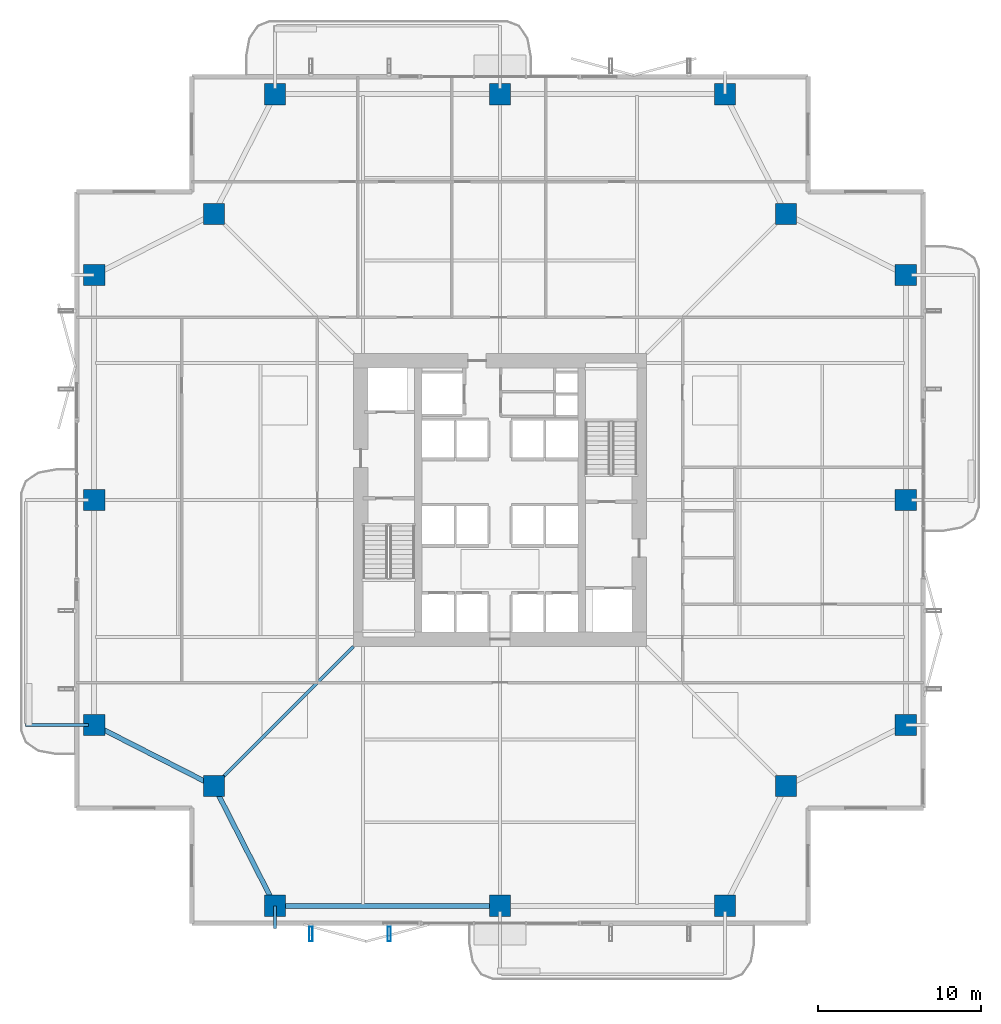
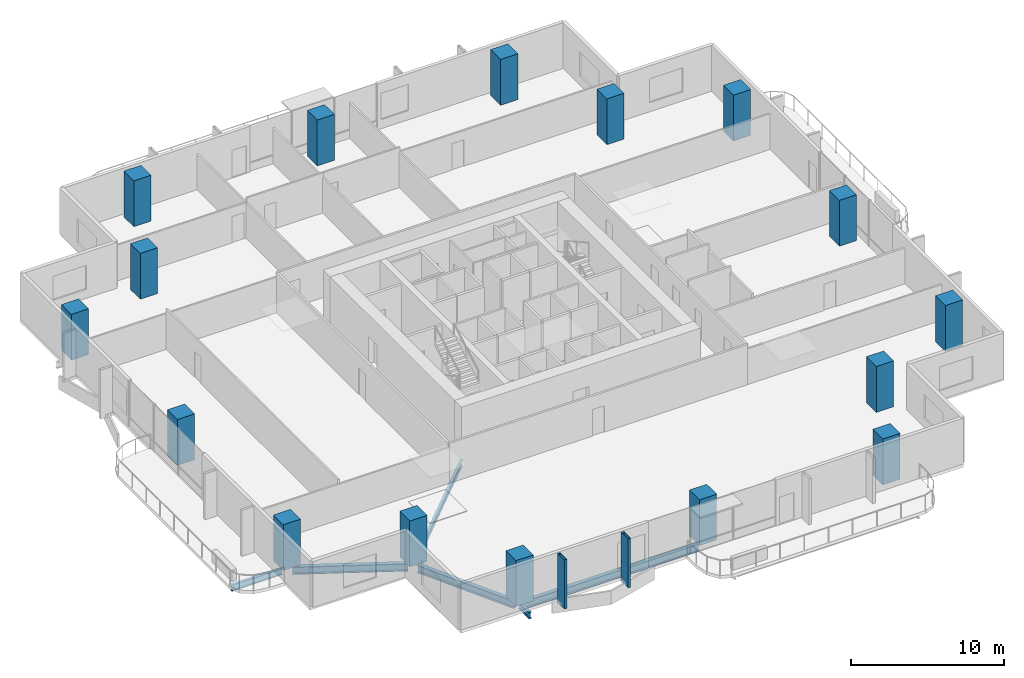
# One storey, part 1 of 24: 16 columns, 6 beams, 2 members.
"""IFC4 building model written with IfcOpenShell, lengths in metres."""

import ifcopenshell
import ifcopenshell.guid

model = None  # the IFC model being written
_history = None  # IfcOwnerHistory: only IFC2X3 demands one
_inside = {}  # id of a spatial element -> (the spatial element, [elements in it])
_under = {}  # id of a project, library or spatial element -> (it, [spatial elements below it])
_declared = {}  # id of a project -> (the project, [libraries it declares])
_typed = {}  # id of a type object -> (the type object, [elements of that type])
_made_of = {}  # id of a material, layer set ... -> (it, [elements and type objects made of it])


def new_model(schema):
    """Start an empty IFC model of exactly this schema.

    Asked for "IFC4X3", IfcOpenShell would pick the latest addendum, in which some entities
    have other attributes; the version numbers below select the first issue.
    IFC2X3 requires an IfcOwnerHistory on every rooted entity: one is made here for all.
    """
    global model, _history
    if schema == "IFC4X3":
        model = ifcopenshell.file(schema_version=(4, 3, 0, 0))
    else:
        model = ifcopenshell.file(schema=schema)
    _inside.clear()
    _under.clear()
    _declared.clear()
    _typed.clear()
    _made_of.clear()
    _history = None
    if model.schema == "IFC2X3":
        org = make("IfcOrganization", Name="unknown")
        user = make(
            "IfcPersonAndOrganization",
            ThePerson=make("IfcPerson", FamilyName="unknown"),
            TheOrganization=org,
        )
        app = make(
            "IfcApplication",
            ApplicationDeveloper=org,
            Version="unknown",
            ApplicationFullName="unknown",
            ApplicationIdentifier="unknown",
        )
        _history = make(
            "IfcOwnerHistory",
            OwningUser=user,
            OwningApplication=app,
            ChangeAction="ADDED",
            CreationDate=0,
        )
    return model


def make(cls, **values):
    """One entity of the class cls with the attributes given. An attribute that is None is left unset."""
    return model.create_entity(
        cls, **{name: value for name, value in values.items() if value is not None}
    )


def rooted(cls, **values):
    """An entity with a GlobalId (a new one), such as an element, a storey or a relation."""
    return make(cls, GlobalId=ifcopenshell.guid.new(), OwnerHistory=_history, **values)


def si_unit(unit_type, name, prefix=None):
    """IfcSIUnit, for example si_unit("LENGTHUNIT", "METRE", prefix="MILLI")."""
    return make("IfcSIUnit", UnitType=unit_type, Prefix=prefix, Name=name)


def assignment(units):
    """IfcUnitAssignment: the units of a project."""
    return None if units is None else make("IfcUnitAssignment", Units=units)


def point(xyz):
    """IfcCartesianPoint."""
    return None if xyz is None else make("IfcCartesianPoint", Coordinates=xyz)


def direction(xyz):
    """IfcDirection."""
    return None if xyz is None else make("IfcDirection", DirectionRatios=xyz)


def frame(location, z_axis=None, x_axis=None):
    """IfcAxis2Placement3D, a coordinate frame: its origin and axes. An axis left out is left unset."""
    return make(
        "IfcAxis2Placement3D",
        Location=point(location),
        Axis=direction(z_axis),
        RefDirection=direction(x_axis),
    )


def frame_2d(location, x_axis=None):
    """IfcAxis2Placement2D, a coordinate frame in the plane: its origin and x axis."""
    return make(
        "IfcAxis2Placement2D", Location=point(location), RefDirection=direction(x_axis)
    )


def origin():
    """The frame at (0, 0, 0) with its axes left unset."""
    return frame((0.0, 0.0, 0.0))


def origin_2d():
    """The frame at (0, 0) in the plane with its x axis left unset."""
    return frame_2d((0.0, 0.0))


def place(relative_to, where):
    """IfcLocalPlacement: puts the frame where relative to a parent placement (None: the world)."""
    return make(
        "IfcLocalPlacement", PlacementRelTo=relative_to, RelativePlacement=where
    )


def context(
    kind, dimensions, precision=None, world=None, true_north=None, identifier=None
):
    """IfcGeometricRepresentationContext, for example the 3D "Model" context."""
    return make(
        "IfcGeometricRepresentationContext",
        ContextIdentifier=identifier,
        ContextType=kind,
        CoordinateSpaceDimension=dimensions,
        Precision=precision,
        WorldCoordinateSystem=world,
        TrueNorth=true_north,
    )


def subcontext(parent, identifier, kind, view, scale=None):
    """IfcGeometricRepresentationSubContext, for example "Body" below "Model"."""
    return make(
        "IfcGeometricRepresentationSubContext",
        ContextIdentifier=identifier,
        ContextType=kind,
        ParentContext=parent,
        TargetScale=scale,
        TargetView=view,
    )


def project(units=None, contexts=None):
    """IfcProject with its units and contexts."""
    return rooted(
        "IfcProject",
        Name="project",
        RepresentationContexts=contexts,
        UnitsInContext=assignment(units),
    )


def spatial(cls, under=None, at=None, **own):
    """A site, building, storey or space (cls), placed at a placement, below another one or the project."""
    s = rooted(cls, ObjectPlacement=at, **own)
    if under is not None:
        _under.setdefault(under.id(), (under, []))[1].append(s)
    return s


def profile(cls, at=None, kind="AREA", **sizes):
    """A parametric profile (cls). Its sizes go by their IFC names, for example OverallWidth=200.0."""
    return make(cls, ProfileType=kind, Position=at, **sizes)


def rectangle(**sizes):
    """IfcRectangleProfileDef."""
    return profile("IfcRectangleProfileDef", **sizes)


def hollow_rectangle(**sizes):
    """IfcRectangleHollowProfileDef."""
    return profile("IfcRectangleHollowProfileDef", **sizes)


def i_section(**sizes):
    """IfcIShapeProfileDef."""
    return profile("IfcIShapeProfileDef", **sizes)


def extrude(swept, where, along, depth):
    """IfcExtrudedAreaSolid: the profile swept, set in the frame where, extruded along a direction by depth."""
    return make(
        "IfcExtrudedAreaSolid",
        SweptArea=swept,
        Position=where,
        ExtrudedDirection=direction(along),
        Depth=depth,
    )


def shape(context_of_items, identifier, shape_type, items):
    """IfcShapeRepresentation: the items that make up one representation, for example the "Body"."""
    return make(
        "IfcShapeRepresentation",
        ContextOfItems=context_of_items,
        RepresentationIdentifier=identifier,
        RepresentationType=shape_type,
        Items=items,
    )


def material(Name=None, Category=None):
    """IfcMaterial."""
    return make("IfcMaterial", Name=Name, Category=Category)


def material_profile(
    of_material, cross_section, Name=None, Category=None, Priority=None
):
    """IfcMaterialProfile: a cross section and its material."""
    return make(
        "IfcMaterialProfile",
        Name=Name,
        Material=of_material,
        Profile=cross_section,
        Priority=Priority,
        Category=Category,
    )


def profile_set(profiles, Name=None, composite=None):
    """IfcMaterialProfileSet."""
    return make(
        "IfcMaterialProfileSet",
        Name=Name,
        MaterialProfiles=profiles,
        CompositeProfile=composite,
    )


def made_of(thing, what):
    """Note that an element or type object is made of a material, layer set ...; save() writes the relation."""
    if what is not None:
        _made_of.setdefault(what.id(), (what, []))[1].append(thing)
    return thing


def type_object(cls, material=None, **own):
    """A type object (cls), such as IfcWallType, which elements share."""
    return made_of(rooted(cls, **own), material)


def element(
    cls,
    number,
    at=None,
    inside=None,
    cuts=None,
    type_object=None,
    material=None,
    context=None,
    identifier="Body",
    shape_type=None,
    held_by="IfcProductDefinitionShape",
    body=None,
    shapes=None,
    **own,
):
    """One element of the class cls, such as IfcWall. Its Tag is "e" and its number.

    at: its placement. inside: the storey or other place that contains it. cuts: it is an
    opening in that element (IfcRelVoidsElement). A single representation is given by context,
    identifier, shape_type and body (its items); several are given by shapes. held_by: the class
    of the entity that holds the representations. save() writes the other relations.
    """
    e = rooted(cls, Tag="e%d" % number, ObjectPlacement=at, **own)
    if body is not None:
        shapes = [shape(context, identifier, shape_type, body)]
    if shapes is not None:
        e.Representation = make(held_by, Representations=shapes)
    if inside is not None:
        _inside.setdefault(inside.id(), (inside, []))[1].append(e)
    if cuts is not None:
        rooted(
            "IfcRelVoidsElement", RelatingBuildingElement=cuts, RelatedOpeningElement=e
        )
    if type_object is not None:
        _typed.setdefault(type_object.id(), (type_object, []))[1].append(e)
    return made_of(e, material)


def aggregate(whole, parts):
    """IfcRelAggregates: a whole, such as a stair, and the parts it consists of."""
    return rooted("IfcRelAggregates", RelatingObject=whole, RelatedObjects=parts)


def save(model, path):
    """Write the relations noted so far, then the file.

    IfcRelAggregates (storeys below a building ...), IfcRelContainedInSpatialStructure (elements
    in a storey), IfcRelDefinesByType, IfcRelAssociatesMaterial and IfcRelDeclares: one each for
    every whole, place, type object, material and project.
    """
    for whole, parts in _under.values():
        aggregate(whole, parts)
    for where, things in _inside.values():
        rooted(
            "IfcRelContainedInSpatialStructure",
            RelatedElements=things,
            RelatingStructure=where,
        )
    for kind, things in _typed.values():
        rooted("IfcRelDefinesByType", RelatedObjects=things, RelatingType=kind)
    for what, things in _made_of.values():
        rooted("IfcRelAssociatesMaterial", RelatedObjects=things, RelatingMaterial=what)
    for by, libraries in _declared.values():
        rooted("IfcRelDeclares", RelatingContext=by, RelatedDefinitions=libraries)
    model.write(path)


model = new_model("IFC4")

# Units and contexts
model_context = context("Model", 3, precision=1e-05, world=origin(), true_north=direction((0.0, 1.0)))
body_context = subcontext(model_context, "Body", "Model", "MODEL_VIEW")
ifc_project = project(units=[si_unit("LENGTHUNIT", "METRE"), si_unit("AREAUNIT", "SQUARE_METRE"), si_unit("VOLUMEUNIT", "CUBIC_METRE"), si_unit("PLANEANGLEUNIT", "RADIAN"), si_unit("MASSUNIT", "GRAM", prefix="KILO")], contexts=[model_context])

# Site, building, storey
site_placement = place(None, origin())
site = spatial("IfcSite", under=ifc_project, at=site_placement, CompositionType="ELEMENT")
building_placement = place(site_placement, origin())
building = spatial("IfcBuilding", under=site, at=building_placement, Name="Belovzor Exchange Tower", CompositionType="ELEMENT")
storey_placement = place(building_placement, frame((0.0, 0.0, 129.0)))
storey = spatial("IfcBuildingStorey", under=building, at=storey_placement, Name="L31", CompositionType="ELEMENT", Elevation=129.0)

# Columns
ifc_material_1 = material(Name="Concrete C60/75", Category="concrete")
ifc_material_profile_1 = material_profile(ifc_material_1, rectangle(XDim=1.300048828125, YDim=1.300048828125, at=origin_2d()))
ifc_profile_set_1 = profile_set([ifc_material_profile_1], Name="Concrete C60/75")
column_type = type_object("IfcColumnType", Name="Reinforced Concrete Tower Column 1300x1300", PredefinedType="COLUMN", material=ifc_profile_set_1)
for number, where, z_axis, x_axis, name in (
    (1, (15.0, 3.89990234375, 0.0029296875), (0.0, 0.0, 1.0), (1.0, 0.0, 0.0), "COL-T130 Reinforced Concrete Tower Column 1300x1300"),
    (2, (28.800048828125, 3.89990234375, 0.0029296875), (0.0, 0.0, 1.0), (1.0, 0.0, 0.0), "COL-T130 Reinforced Concrete Tower Column 1300x1300"),
    (3, (42.60009765625, 3.89990234375, 0.0029296875), (0.0, 0.0, 1.0), (1.0, 0.0, 0.0), "COL-T130 Reinforced Concrete Tower Column 1300x1300"),
    (4, (53.699951171875, 15.0, 0.0029296875), (0.0, 0.0, 1.0), (1.0, 0.0, 0.0), "COL-T130 Reinforced Concrete Tower Column 1300x1300"),
    (5, (53.699951171875, 28.800048828125, 0.0029296875), (0.0, 0.0, 1.0), (1.0, 0.0, 0.0), "COL-T130 Reinforced Concrete Tower Column 1300x1300"),
    (6, (53.699951171875, 42.60009765625, 0.0029296875), (0.0, 0.0, 1.0), (1.0, 0.0, 0.0), "COL-T130 Reinforced Concrete Tower Column 1300x1300"),
    (7, (42.60009765625, 53.699951171875, 0.0029296875), (0.0, 0.0, 1.0), (1.0, 0.0, 0.0), "COL-T130 Reinforced Concrete Tower Column 1300x1300"),
    (8, (28.800048828125, 53.699951171875, 0.0029296875), (0.0, 0.0, 1.0), (1.0, 0.0, 0.0), "COL-T130 Reinforced Concrete Tower Column 1300x1300"),
    (9, (15.0, 53.699951171875, 0.0029296875), (0.0, 0.0, 1.0), (1.0, 0.0, 0.0), "COL-T130 Reinforced Concrete Tower Column 1300x1300"),
    (10, (3.89990234375, 42.60009765625, 0.0029296875), (0.0, 0.0, 1.0), (1.0, 0.0, 0.0), "COL-T130 Reinforced Concrete Tower Column 1300x1300"),
    (11, (3.89990234375, 28.800048828125, 0.0029296875), (0.0, 0.0, 1.0), (1.0, 0.0, 0.0), "COL-T130 Reinforced Concrete Tower Column 1300x1300"),
    (12, (3.89990234375, 15.0, 0.0029296875), (0.0, 0.0, 1.0), (1.0, 0.0, 0.0), "COL-T130 Reinforced Concrete Tower Column 1300x1300"),
    (13, (11.25, 11.25, 0.0029296875), (0.0, 0.0, 1.0), (1.0, 0.0, 0.0), "COL-T130 Reinforced Concrete Tower Column 1300x1300"),
    (14, (46.35009765625, 11.25, 0.0029296875), (0.0, 0.0, 1.0), (1.0, 0.0, 0.0), "COL-T130 Reinforced Concrete Tower Column 1300x1300"),
    (15, (46.35009765625, 46.35009765625, 0.0029296875), (0.0, 0.0, 1.0), (1.0, 0.0, 0.0), "COL-T130 Reinforced Concrete Tower Column 1300x1300"),
    (16, (11.25, 46.35009765625, 0.0029296875), (0.0, 0.0, 1.0), (1.0, 0.0, 0.0), "COL-T130 Reinforced Concrete Tower Column 1300x1300"),
):
    element("IfcColumn", number, at=place(storey_placement, frame(where, z_axis=z_axis, x_axis=x_axis)), inside=storey, type_object=column_type, Name=name, PredefinedType="COLUMN", context=body_context, shape_type="SweptSolid", body=[
        extrude(rectangle(XDim=1.300048828125, YDim=1.300048828125, at=origin_2d()), origin(), (0.0, 0.0, 1.0), 3.64404296875),
    ])

# Beams
ifc_material_2 = material(Name="Steel S355", Category="steel")
ifc_material_profile_2 = material_profile(ifc_material_2, i_section(OverallWidth=0.199951171875, OverallDepth=0.5, WebThickness=0.01025390625, FlangeThickness=0.01611328125, at=origin_2d()))
ifc_profile_set_2 = profile_set([ifc_material_profile_2], Name="Steel S355")
beam_type_1 = type_object("IfcBeamType", Name="Planted Balcony Cantilever Beam IPE 500", PredefinedType="BEAM", material=ifc_profile_set_2)
beam_1_placement = place(storey_placement, frame((3.5419921875, 15.0, -0.5), z_axis=(-1.0, 0.0, 0.0), x_axis=(0.0, -1.0, 0.0)))
element("IfcBeam", 17, at=beam_1_placement, inside=storey, type_object=beam_type_1, Name="BC-500 Planted Balcony Cantilever Beam IPE 500", PredefinedType="BEAM", context=body_context, shape_type="SweptSolid", body=[
    extrude(i_section(OverallWidth=0.199951171875, OverallDepth=0.5, WebThickness=0.01025390625, FlangeThickness=0.01611328125, at=origin_2d()), origin(), (0.0, 0.0, 1.0), 3.85009765625),
])
beam_2_placement = place(storey_placement, frame((15.0, 3.89990234375, -0.5), z_axis=(0.0, -1.0, 0.0), x_axis=(1.0, 0.0, 0.0)))
element("IfcBeam", 18, at=beam_2_placement, inside=storey, type_object=beam_type_1, Name="BC-500 Planted Balcony Cantilever Beam IPE 500", PredefinedType="BEAM", context=body_context, shape_type="SweptSolid", body=[
    extrude(i_section(OverallWidth=0.199951171875, OverallDepth=0.5, WebThickness=0.01025390625, FlangeThickness=0.01611328125, at=origin_2d()), origin(), (0.0, 0.0, 1.0), 1.39990234375),
])

# Members
ifc_material_3 = material(Name="Extruded Architectural Terracotta on Steel S355 Carrier", Category="masonry")
ifc_material_profile_3 = material_profile(ifc_material_3, hollow_rectangle(XDim=0.199951171875, YDim=0.89990234375, WallThickness=0.011962890625, at=origin_2d()))
ifc_profile_set_3 = profile_set([ifc_material_profile_3], Name="Extruded Architectural Terracotta on Steel S355 Carrier")
member_type = type_object("IfcMemberType", Name="Sweeping Terracotta Baguette Fin Assembly 1250", PredefinedType="USERDEFINED", material=ifc_profile_set_3)
for number, where, z_axis, x_axis, name in (
    (19, (17.199951171875, 2.175048828125, -0.25), (0.0, 0.0, 1.0), (1.0, 0.0, 0.0), "FIN-TC125 Terracotta Facade Fin L31 S1"),
    (20, (22.0, 2.175048828125, -0.25), (0.0, 0.0, 1.0), (1.0, 0.0, 0.0), "FIN-TC125 Terracotta Facade Fin L31 S2"),
):
    element("IfcMember", number, at=place(storey_placement, frame(where, z_axis=z_axis, x_axis=x_axis)), inside=storey, type_object=member_type, Name=name, ObjectType="FIN", PredefinedType="USERDEFINED", context=body_context, shape_type="SweptSolid", body=[
        extrude(hollow_rectangle(XDim=0.199951171875, YDim=0.89990234375, WallThickness=0.011962890625, at=origin_2d()), origin(), (0.0, 0.0, 1.0), 3.89990234375),
    ])

# Beams
ifc_material_4 = material(Name="Steel S355", Category="steel")
ifc_material_profile_4 = material_profile(ifc_material_4, i_section(OverallWidth=0.300048828125, OverallDepth=0.60009765625, WebThickness=0.015380859375, FlangeThickness=0.030029296875, at=origin_2d()))
ifc_profile_set_4 = profile_set([ifc_material_profile_4], Name="Steel S355")
beam_type_2 = type_object("IfcBeamType", Name="Zone 2 Primary Perimeter Girder HEB 600", PredefinedType="BEAM", material=ifc_profile_set_4)
beam_3_placement = place(storey_placement, frame((11.412109375, 10.931884765625, -0.550048828125), z_axis=(0.454506007464, -0.890743671984, 0.0), x_axis=(0.890743671984, 0.454506007464, 0.0)))
element("IfcBeam", 21, at=beam_3_placement, inside=storey, type_object=beam_type_2, Name="FG-Z2 Zone 2 Primary Perimeter Girder HEB 600", PredefinedType="BEAM", context=body_context, shape_type="SweptSolid", body=[
    extrude(i_section(OverallWidth=0.300048828125, OverallDepth=0.60009765625, WebThickness=0.015380859375, FlangeThickness=0.030029296875, at=origin_2d()), origin(), (0.0, 0.0, 1.0), 7.537353515625),
])
beam_4_placement = place(storey_placement, frame((15.35693359375, 3.89990234375, -0.550048828125), z_axis=(1.0, 0.0, 0.0), x_axis=(0.0, 1.0, 0.0)))
element("IfcBeam", 22, at=beam_4_placement, inside=storey, type_object=beam_type_2, Name="FG-Z2 Zone 2 Primary Perimeter Girder HEB 600", PredefinedType="BEAM", context=body_context, shape_type="SweptSolid", body=[
    extrude(i_section(OverallWidth=0.300048828125, OverallDepth=0.60009765625, WebThickness=0.015380859375, FlangeThickness=0.030029296875, at=origin_2d()), origin(), (0.0, 0.0, 1.0), 13.0849609375),
])
beam_5_placement = place(storey_placement, frame((4.218017578125, 14.837890625, -0.550048828125), z_axis=(0.890743671984, -0.454506007464, 0.0), x_axis=(0.454506007464, 0.890743671984, 0.0)))
element("IfcBeam", 23, at=beam_5_placement, inside=storey, type_object=beam_type_2, Name="FG-Z2 Zone 2 Primary Perimeter Girder HEB 600", PredefinedType="BEAM", context=body_context, shape_type="SweptSolid", body=[
    extrude(i_section(OverallWidth=0.300048828125, OverallDepth=0.60009765625, WebThickness=0.015380859375, FlangeThickness=0.030029296875, at=origin_2d()), origin(), (0.0, 0.0, 1.0), 7.537353515625),
])
ifc_material_5 = material(Name="Steel S355", Category="steel")
ifc_material_profile_5 = material_profile(ifc_material_5, i_section(OverallWidth=0.18994140625, OverallDepth=0.449951171875, WebThickness=0.009521484375, FlangeThickness=0.0146484375, at=origin_2d()))
ifc_profile_set_5 = profile_set([ifc_material_profile_5], Name="Steel S355")
beam_type_3 = type_object("IfcBeamType", Name="Zone 2-4 Radial Composite Floor Beam IPE 450", PredefinedType="BEAM", material=ifc_profile_set_5)
beam_6_placement = place(storey_placement, frame((19.800048828125, 19.800048828125, -0.47509765625), z_axis=(-0.707106781187, -0.707106781187, 0.0), x_axis=(0.707106781187, -0.707106781187, 0.0)))
element("IfcBeam", 24, at=beam_6_placement, inside=storey, type_object=beam_type_3, Name="FB-450 Zone 2-4 Radial Composite Floor Beam IPE 450", PredefinedType="BEAM", context=body_context, shape_type="SweptSolid", body=[
    extrude(i_section(OverallWidth=0.18994140625, OverallDepth=0.449951171875, WebThickness=0.009521484375, FlangeThickness=0.0146484375, at=origin_2d()), origin(), (0.0, 0.0, 1.0), 11.632080078125),
])

save(model, "model.ifc")
